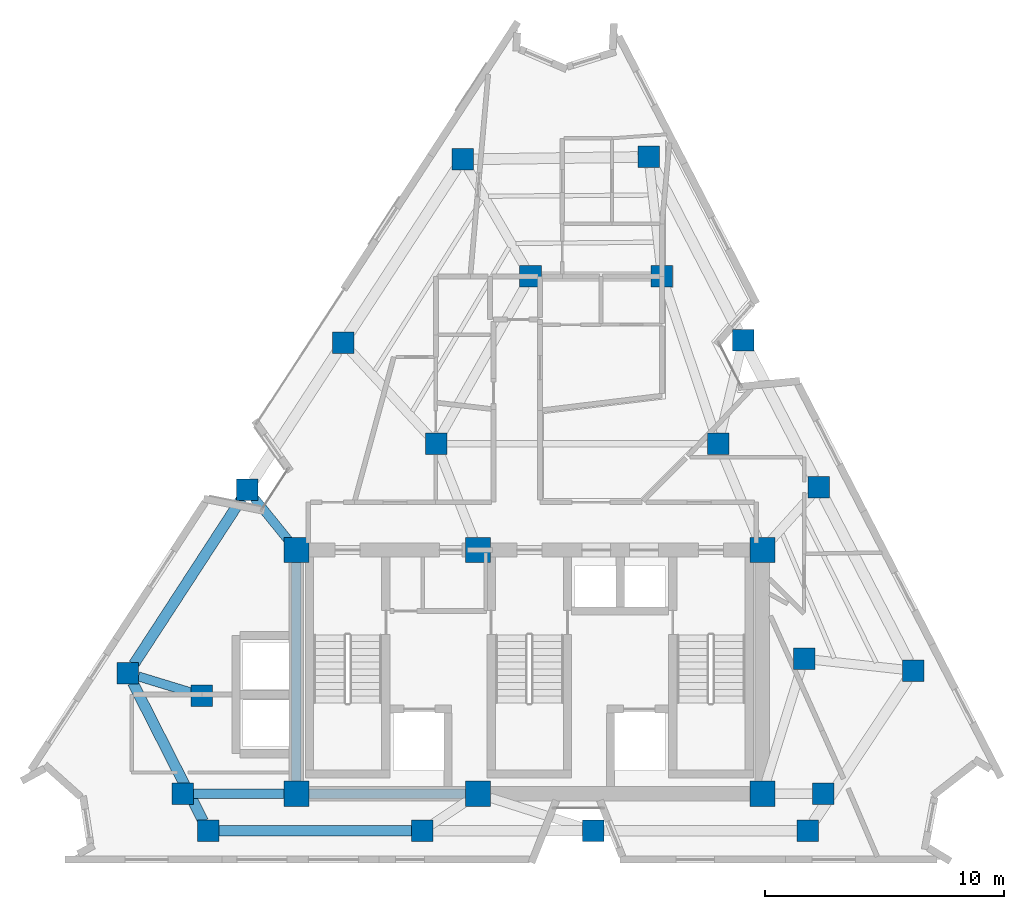
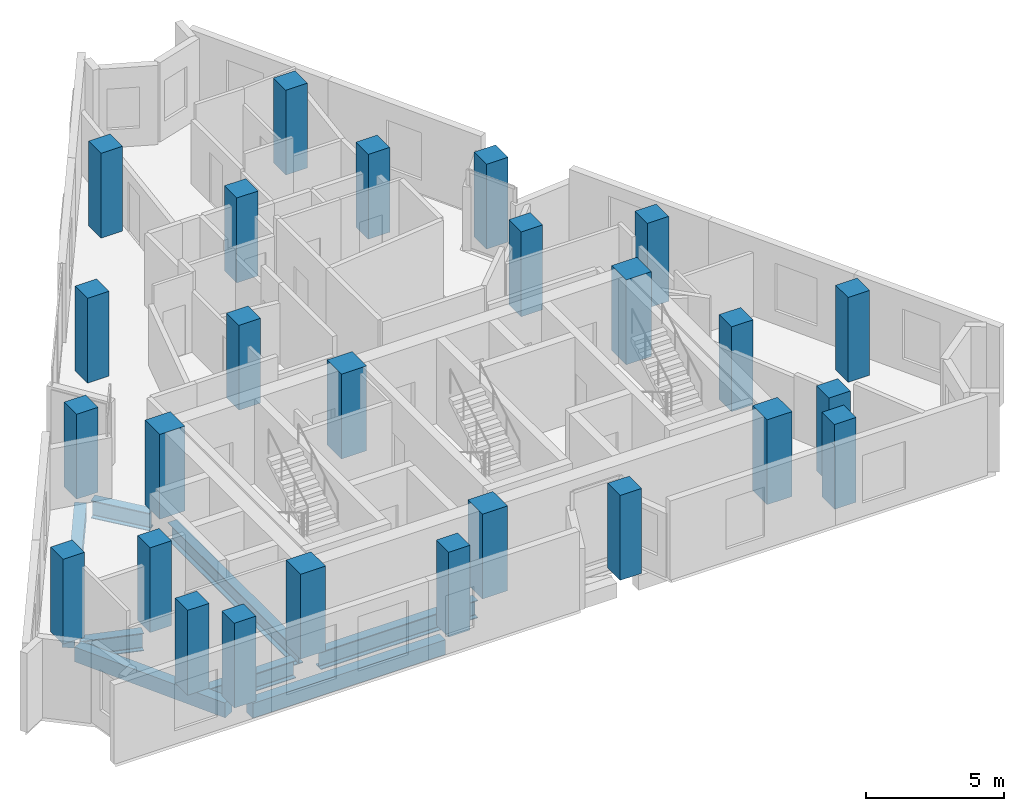
# One storey, part 1 of 9: 26 columns, 8 beams.
"""IFC4 building model written with IfcOpenShell, lengths in metres."""

from ifc_helpers import new_model, si_unit, direction, frame, origin, origin_2d, place, context, subcontext, project, spatial, rectangle, i_section, extrude, material, material_profile, profile_set, type_object, element, save


model = new_model("IFC4")

# Units and contexts
model_context = context("Model", 3, precision=1e-05, world=origin(), true_north=direction((0.0, 1.0)))
body_context = subcontext(model_context, "Body", "Model", "MODEL_VIEW")
ifc_project = project(units=[si_unit("LENGTHUNIT", "METRE"), si_unit("AREAUNIT", "SQUARE_METRE"), si_unit("VOLUMEUNIT", "CUBIC_METRE"), si_unit("PLANEANGLEUNIT", "RADIAN"), si_unit("MASSUNIT", "GRAM", prefix="KILO")], contexts=[model_context])

# Site, building, storey
site_placement = place(None, origin())
site = spatial("IfcSite", under=ifc_project, at=site_placement, CompositionType="ELEMENT")
building_placement = place(site_placement, origin())
building = spatial("IfcBuilding", under=site, at=building_placement, Name="Almagre Mirador Tower", CompositionType="ELEMENT")
storey_placement = place(building_placement, frame((0.0, 0.0, 210.75)))
storey = spatial("IfcBuildingStorey", under=building, at=storey_placement, Name="L54", CompositionType="ELEMENT", Elevation=210.75)

# Columns
ifc_material_1 = material(Name="Concrete C60/75", Category="concrete")
ifc_material_profile_1 = material_profile(ifc_material_1, rectangle(XDim=1.050048828125, YDim=1.050048828125, at=origin_2d()), Name="RC1050X1050")
ifc_profile_set_1 = profile_set([ifc_material_profile_1], Name="Concrete C60/75")
column_type_1 = type_object("IfcColumnType", Name="COL-RC1050", PredefinedType="COLUMN", material=ifc_profile_set_1)
for number, where, z_axis, x_axis, name in (
    (1, (27.550048828125, 4.550048828125, 0.0), (0.0, 0.0, 1.0), (1.0, 0.0, 0.0), "L54 core spine column CC1"),
    (2, (35.14990234375, 4.550048828125, 0.0), (0.0, 0.0, 1.0), (1.0, 0.0, 0.0), "L54 core spine column CC2"),
    (3, (47.050048828125, 4.550048828125, 0.0), (0.0, 0.0, 1.0), (1.0, 0.0, 0.0), "L54 core spine column CC3"),
    (4, (27.550048828125, 14.75, 0.0), (0.0, 0.0, 1.0), (1.0, 0.0, 0.0), "L54 core spine column CC4"),
    (5, (35.14990234375, 14.75, 0.0), (0.0, 0.0, 1.0), (1.0, 0.0, 0.0), "L54 core spine column CC5"),
    (6, (47.050048828125, 14.75, 0.0), (0.0, 0.0, 1.0), (1.0, 0.0, 0.0), "L54 core spine column CC6"),
):
    element("IfcColumn", number, at=place(storey_placement, frame(where, z_axis=z_axis, x_axis=x_axis)), inside=storey, type_object=column_type_1, Name=name, PredefinedType="COLUMN", context=body_context, shape_type="SweptSolid", body=[
        extrude(rectangle(XDim=1.050048828125, YDim=1.050048828125, at=origin_2d()), origin(), (0.0, 0.0, 1.0), 3.75),
    ])
ifc_material_2 = material(Name="Concrete C60/75", Category="concrete")
ifc_material_profile_2 = material_profile(ifc_material_2, rectangle(XDim=0.89990234375, YDim=0.89990234375, at=origin_2d()), Name="RC900X900")
ifc_profile_set_2 = profile_set([ifc_material_profile_2], Name="Concrete C60/75")
column_type_2 = type_object("IfcColumnType", Name="COL-RC900", PredefinedType="COLUMN", material=ifc_profile_set_2)
for number, where, z_axis, x_axis, name in (
    (7, (22.800048828125, 4.550048828125, 0.0), (0.0, 0.0, 1.0), (1.0, 0.0, 0.0), "L54 interior transfer column MC1"),
    (8, (49.60009765625, 4.550048828125, 0.0), (0.0, 0.0, 1.0), (1.0, 0.0, 0.0), "L54 interior transfer column MC2"),
    (9, (48.800048828125, 10.199951171875, 0.0), (0.0, 0.0, 1.0), (1.0, 0.0, 0.0), "L54 interior transfer column MC3"),
    (10, (45.199951171875, 19.199951171875, 0.0), (0.0, 0.0, 1.0), (1.0, 0.0, 0.0), "L54 interior transfer column MC5"),
    (11, (42.85009765625, 26.199951171875, 0.0), (0.0, 0.0, 1.0), (1.0, 0.0, 0.0), "L54 interior transfer column MC6"),
    (12, (37.35009765625, 26.199951171875, 0.0), (0.0, 0.0, 1.0), (1.0, 0.0, 0.0), "L54 interior transfer column MC7"),
    (13, (33.39990234375, 19.199951171875, 0.0), (0.0, 0.0, 1.0), (1.0, 0.0, 0.0), "L54 interior transfer column MC8"),
    (14, (23.60009765625, 8.64990234375, 0.0), (0.0, 0.0, 1.0), (1.0, 0.0, 0.0), "L54 interior transfer column MC10"),
    (15, (23.85595703125, 3.0, 0.0), (0.0, 0.0, 1.0), (1.0, 0.0, 0.0), "L54 perimeter column PC01"),
    (16, (32.81591796875, 3.0, 0.0), (0.0, 0.0, 1.0), (1.0, 0.0, 0.0), "L54 perimeter column PC02"),
    (17, (39.98388671875, 3.0, 0.0), (0.0, 0.0, 1.0), (1.0, 0.0, 0.0), "L54 perimeter column PC03"),
    (18, (48.944091796875, 3.0, 0.0), (0.0, 0.0, 1.0), (1.0, 0.0, 0.0), "L54 perimeter column PC04"),
    (19, (53.376953125, 9.697998046875, 0.0), (0.0, 0.0, 1.0), (1.0, 0.0, 0.0), "L54 perimeter column PC05"),
    (20, (49.4169921875, 17.3779296875, 0.0), (0.0, 0.0, 1.0), (1.0, 0.0, 0.0), "L54 perimeter column PC06"),
    (21, (46.2490234375, 23.52197265625, 0.0), (0.0, 0.0, 1.0), (1.0, 0.0, 0.0), "L54 perimeter column PC07"),
    (22, (42.2890625, 31.201904296875, 0.0), (0.0, 0.0, 1.0), (1.0, 0.0, 0.0), "L54 perimeter column PC08"),
    (23, (34.506103515625, 31.096923828125, 0.0), (0.0, 0.0, 1.0), (1.0, 0.0, 0.0), "L54 perimeter column PC09"),
    (24, (29.506103515625, 23.4169921875, 0.0), (0.0, 0.0, 1.0), (1.0, 0.0, 0.0), "L54 perimeter column PC10"),
    (25, (25.506103515625, 17.27294921875, 0.0), (0.0, 0.0, 1.0), (1.0, 0.0, 0.0), "L54 perimeter column PC11"),
    (26, (20.506103515625, 9.593017578125, 0.0), (0.0, 0.0, 1.0), (1.0, 0.0, 0.0), "L54 perimeter column PC12"),
):
    element("IfcColumn", number, at=place(storey_placement, frame(where, z_axis=z_axis, x_axis=x_axis)), inside=storey, type_object=column_type_2, Name=name, PredefinedType="COLUMN", context=body_context, shape_type="SweptSolid", body=[
        extrude(rectangle(XDim=0.89990234375, YDim=0.89990234375, at=origin_2d()), origin(), (0.0, 0.0, 1.0), 3.75),
    ])

# Beams
ifc_material_3 = material(Name="Precast concrete C50/60", Category="concrete")
ifc_material_profile_3 = material_profile(ifc_material_3, rectangle(XDim=0.449951171875, YDim=0.64990234375, at=origin_2d()), Name="RC450X650")
ifc_profile_set_3 = profile_set([ifc_material_profile_3], Name="Precast concrete C50/60")
beam_type_1 = type_object("IfcBeamType", Name="BM-SPN-RC450X650", PredefinedType="SPANDREL", material=ifc_profile_set_3)
beam_1_placement = place(storey_placement, frame((24.305908203125, 3.0, -0.574951171875), z_axis=(1.0, 0.0, 0.0), x_axis=(0.0, 1.0, 0.0)))
element("IfcBeam", 27, at=beam_1_placement, inside=storey, type_object=beam_type_1, Name="L54 perimeter spandrel beam PC01-PC02", PredefinedType="SPANDREL", context=body_context, shape_type="SweptSolid", body=[
    extrude(rectangle(XDim=0.449951171875, YDim=0.64990234375, at=origin_2d()), origin(), (0.0, 0.0, 1.0), 8.06005859375),
])
beam_2_placement = place(storey_placement, frame((25.260498046875, 16.89599609375, -0.574951171875), z_axis=(-0.545607073801, -0.838041121317, 0.0), x_axis=(0.838041121317, -0.545607073801, 0.0)))
element("IfcBeam", 28, at=beam_2_placement, inside=storey, type_object=beam_type_1, Name="L54 perimeter spandrel beam PC11-PC12", PredefinedType="SPANDREL", context=body_context, shape_type="SweptSolid", body=[
    extrude(rectangle(XDim=0.449951171875, YDim=0.64990234375, at=origin_2d()), origin(), (0.0, 0.0, 1.0), 8.26416015625),
])
beam_3_placement = place(storey_placement, frame((20.709716796875, 9.19189453125, -0.574951171875), z_axis=(0.452992552256, -0.891514300278, 0.0), x_axis=(0.891514300278, 0.452992552256, 0.0)))
element("IfcBeam", 29, at=beam_3_placement, inside=storey, type_object=beam_type_1, Name="L54 perimeter spandrel beam PC12-PC01", PredefinedType="SPANDREL", context=body_context, shape_type="SweptSolid", body=[
    extrude(rectangle(XDim=0.449951171875, YDim=0.64990234375, at=origin_2d()), origin(), (0.0, 0.0, 1.0), 6.495361328125),
])
ifc_material_4 = material(Name="Steel ASTM A992 Grade 50", Category="steel")
ifc_material_profile_4 = material_profile(ifc_material_4, i_section(OverallWidth=0.384033203125, OverallDepth=0.784912109375, WebThickness=0.019775390625, FlangeThickness=0.033447265625, FilletRadius=0.02392578125, at=origin_2d()), Name="W30X211")
ifc_profile_set_4 = profile_set([ifc_material_profile_4], Name="Steel ASTM A992 Grade 50")
beam_type_2 = type_object("IfcBeamType", Name="BM-STL-W30X211", PredefinedType="BEAM", material=ifc_profile_set_4)
beam_4_placement = place(storey_placement, frame((28.074951171875, 4.550048828125, -0.642578125), z_axis=(1.0, 0.0, 0.0), x_axis=(0.0, 1.0, 0.0)))
element("IfcBeam", 30, at=beam_4_placement, inside=storey, type_object=beam_type_2, Name="L54 core tie girder CC1-CC2", PredefinedType="BEAM", context=body_context, shape_type="SweptSolid", body=[
    extrude(i_section(OverallWidth=0.384033203125, OverallDepth=0.784912109375, WebThickness=0.019775390625, FlangeThickness=0.033447265625, FilletRadius=0.02392578125, at=origin_2d()), origin(), (0.0, 0.0, 1.0), 6.550048828125),
])
beam_5_placement = place(storey_placement, frame((27.550048828125, 5.074951171875, -0.642578125), z_axis=(0.0, 1.0, 0.0), x_axis=(-1.0, 0.0, 0.0)))
element("IfcBeam", 31, at=beam_5_placement, inside=storey, type_object=beam_type_2, Name="L54 core tie girder CC1-CC4", PredefinedType="BEAM", context=body_context, shape_type="SweptSolid", body=[
    extrude(i_section(OverallWidth=0.384033203125, OverallDepth=0.784912109375, WebThickness=0.019775390625, FlangeThickness=0.033447265625, FilletRadius=0.02392578125, at=origin_2d()), origin(), (0.0, 0.0, 1.0), 9.150146484375),
])
beam_6_placement = place(storey_placement, frame((23.25, 4.550048828125, -0.642578125), z_axis=(1.0, 0.0, 0.0), x_axis=(0.0, 1.0, 0.0)))
element("IfcBeam", 32, at=beam_6_placement, inside=storey, type_object=beam_type_2, Name="L54 core tie girder MC1-CC1", PredefinedType="BEAM", context=body_context, shape_type="SweptSolid", body=[
    extrude(i_section(OverallWidth=0.384033203125, OverallDepth=0.784912109375, WebThickness=0.019775390625, FlangeThickness=0.033447265625, FilletRadius=0.02392578125, at=origin_2d()), origin(), (0.0, 0.0, 1.0), 3.77490234375),
])
beam_7_placement = place(storey_placement, frame((25.789306640625, 16.92333984375, -0.642578125), z_axis=(0.629479487661, -0.777017100593, 0.0), x_axis=(0.777017100593, 0.629479487661, 0.0)))
element("IfcBeam", 33, at=beam_7_placement, inside=storey, type_object=beam_type_2, Name="L54 radial floor girder PC11-CC4", PredefinedType="BEAM", context=body_context, shape_type="SweptSolid", body=[
    extrude(i_section(OverallWidth=0.384033203125, OverallDepth=0.784912109375, WebThickness=0.019775390625, FlangeThickness=0.033447265625, FilletRadius=0.02392578125, at=origin_2d()), origin(), (0.0, 0.0, 1.0), 2.27197265625),
])
beam_8_placement = place(storey_placement, frame((20.9365234375, 9.4619140625, -0.642578125), z_axis=(0.956544591639, -0.291586083697, 0.0), x_axis=(0.291586083697, 0.956544591639, 0.0)))
element("IfcBeam", 34, at=beam_8_placement, inside=storey, type_object=beam_type_2, Name="L54 radial floor girder PC12-MC10", PredefinedType="BEAM", context=body_context, shape_type="SweptSolid", body=[
    extrude(i_section(OverallWidth=0.384033203125, OverallDepth=0.784912109375, WebThickness=0.019775390625, FlangeThickness=0.033447265625, FilletRadius=0.02392578125, at=origin_2d()), origin(), (0.0, 0.0, 1.0), 2.334228515625),
])

save(model, "model.ifc")
